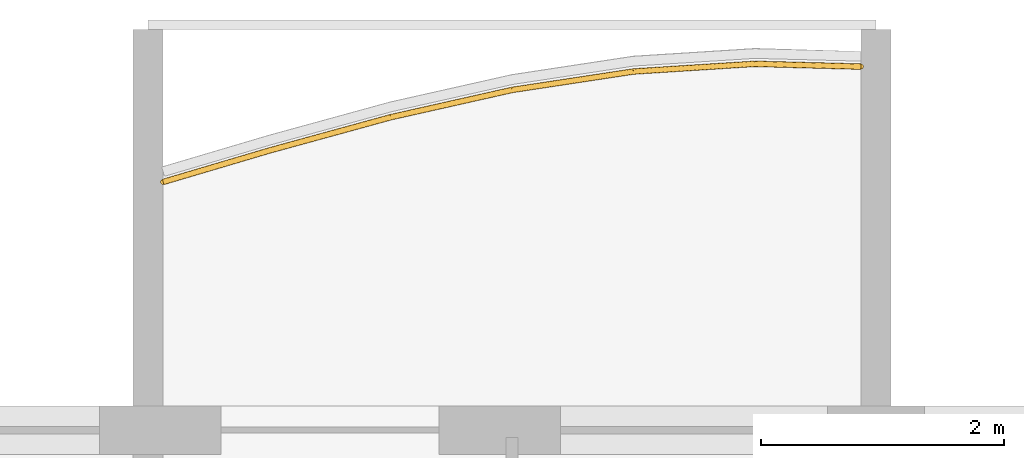
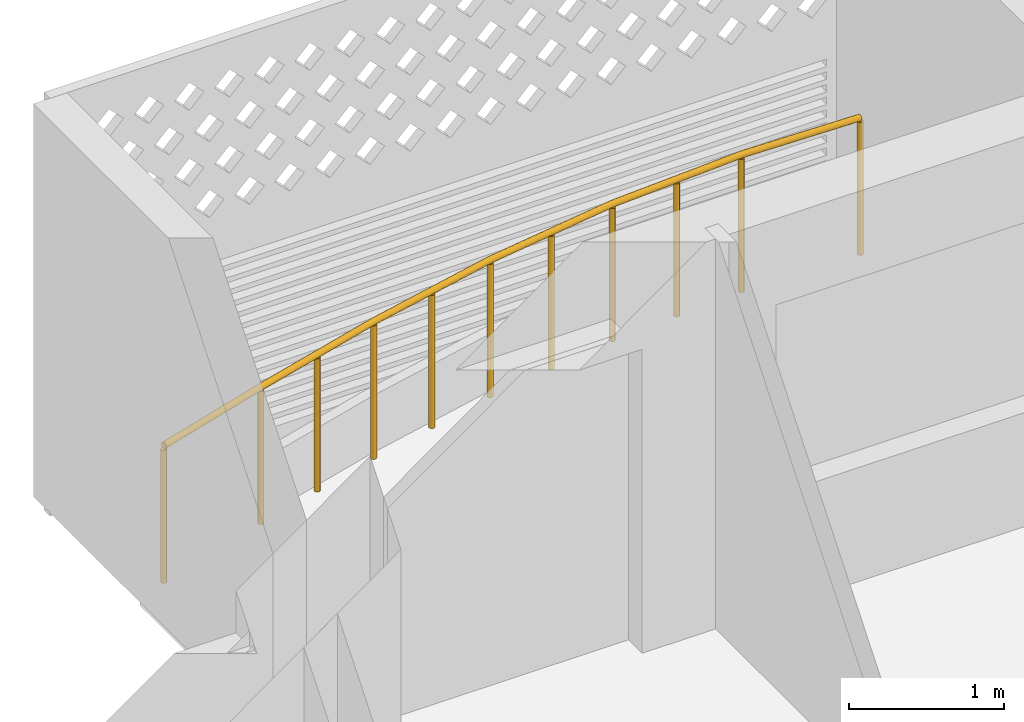
# One storey, part 17 of 26: 1 railing.
"""IFC4 building model written with IfcOpenShell, lengths in metres."""

from ifc_helpers import new_model, si_unit, direction, frame, origin, origin_2d, place, context, subcontext, project, spatial, circle, extrude, material, type_object, element, save


model = new_model("IFC4")

# Units and contexts
model_context = context("Model", 3, precision=1e-05, world=origin(), true_north=direction((0.0, 1.0)))
body_context = subcontext(model_context, "Body", "Model", "MODEL_VIEW")
ifc_project = project(units=[si_unit("LENGTHUNIT", "METRE"), si_unit("AREAUNIT", "SQUARE_METRE"), si_unit("VOLUMEUNIT", "CUBIC_METRE"), si_unit("PLANEANGLEUNIT", "RADIAN"), si_unit("MASSUNIT", "GRAM", prefix="KILO")], contexts=[model_context])

# Site, building, storey
site_placement = place(None, origin())
site = spatial("IfcSite", under=ifc_project, at=site_placement, CompositionType="ELEMENT")
building_placement = place(site_placement, origin())
building = spatial("IfcBuilding", under=site, at=building_placement, Name="Poui Terraces", CompositionType="ELEMENT")
storey_placement = place(building_placement, frame((0.0, 0.0, 175.199951171875)))
storey = spatial("IfcBuildingStorey", under=building, at=storey_placement, Name="L48", CompositionType="ELEMENT", Elevation=175.199951171875)

# Railing
ifc_material = material(Name="Painted steel fretwork", Category="steel")
railing_type = type_object("IfcRailingType", Name="BALCONY GUARD 1100", PredefinedType="GUARDRAIL", material=ifc_material)
railing_placement = place(storey_placement, frame((36.125, 43.245361328125, 0.0)))
element("IfcRailing", 1, at=railing_placement, inside=storey, type_object=railing_type, Name="BALCONY GUARD", PredefinedType="GUARDRAIL", context=body_context, shape_type="SweptSolid", body=[
    extrude(circle(Radius=0.02392578125, at=origin_2d()), frame((0.0, 0.0, 1.076171875), z_axis=(0.958865561228, 0.283860591647, 0.0), x_axis=(-0.283860591647, 0.958865561228, 0.0)), (0.0, 0.0, 1.0), 0.91259765625),
    extrude(circle(Radius=0.02392578125, at=origin_2d()), frame((0.875, 0.259033203125, 1.076171875), z_axis=(0.964349713042, 0.264631122426, 0.0), x_axis=(-0.264631122426, 0.964349713042, 0.0)), (0.0, 0.0, 1.0), 1.036865234375),
    extrude(circle(Radius=0.02392578125, at=origin_2d()), frame((1.875, 0.533447265625, 1.076171875), z_axis=(0.975640353268, 0.219376163418, 0.0), x_axis=(-0.219376163418, 0.975640353268, 0.0)), (0.0, 0.0, 1.0), 1.02490234375),
    extrude(circle(Radius=0.02392578125, at=origin_2d()), frame((2.875, 0.75830078125, 1.076171875), z_axis=(0.988665614785, 0.15013428037, 0.0), x_axis=(-0.15013428037, 0.988665614785, 0.0)), (0.0, 0.0, 1.0), 1.011474609375),
    extrude(circle(Radius=0.02392578125, at=origin_2d()), frame((3.875, 0.91015625, 1.076171875), z_axis=(0.998006805525, 0.063106387361, 0.0), x_axis=(-0.063106387361, 0.998006805525, 0.0)), (0.0, 0.0, 1.0), 1.001953125),
    extrude(circle(Radius=0.02392578125, at=origin_2d()), frame((4.875, 0.973388671875, 1.076171875), z_axis=(0.999663503425, -0.025939929079, 0.0), x_axis=(0.025939929079, 0.999663503425, 0.0)), (0.0, 0.0, 1.0), 0.875244140625),
    extrude(circle(Radius=0.02099609375, at=origin_2d()), origin(), (0.0, 0.0, 1.0), 1.052001953125),
    extrude(circle(Radius=0.02099609375, at=origin_2d()), frame((0.875, 0.259033203125, 0.0)), (0.0, 0.0, 1.0), 1.052001953125),
    extrude(circle(Radius=0.02099609375, at=origin_2d()), frame((1.375, 0.396240234375, 0.0)), (0.0, 0.0, 1.0), 1.052001953125),
    extrude(circle(Radius=0.02099609375, at=origin_2d()), frame((1.875, 0.533447265625, 0.0)), (0.0, 0.0, 1.0), 1.052001953125),
    extrude(circle(Radius=0.02099609375, at=origin_2d()), frame((2.375, 0.64599609375, 0.0)), (0.0, 0.0, 1.0), 1.052001953125),
    extrude(circle(Radius=0.02099609375, at=origin_2d()), frame((2.875, 0.75830078125, 0.0)), (0.0, 0.0, 1.0), 1.052001953125),
    extrude(circle(Radius=0.02099609375, at=origin_2d()), frame((3.375, 0.834228515625, 0.0)), (0.0, 0.0, 1.0), 1.052001953125),
    extrude(circle(Radius=0.02099609375, at=origin_2d()), frame((3.875, 0.91015625, 0.0)), (0.0, 0.0, 1.0), 1.052001953125),
    extrude(circle(Radius=0.02099609375, at=origin_2d()), frame((4.375, 0.94189453125, 0.0)), (0.0, 0.0, 1.0), 1.052001953125),
    extrude(circle(Radius=0.02099609375, at=origin_2d()), frame((4.875, 0.973388671875, 0.0)), (0.0, 0.0, 1.0), 1.052001953125),
    extrude(circle(Radius=0.02099609375, at=origin_2d()), frame((5.75, 0.95068359375, 0.0)), (0.0, 0.0, 1.0), 1.052001953125),
])

save(model, "model.ifc")
